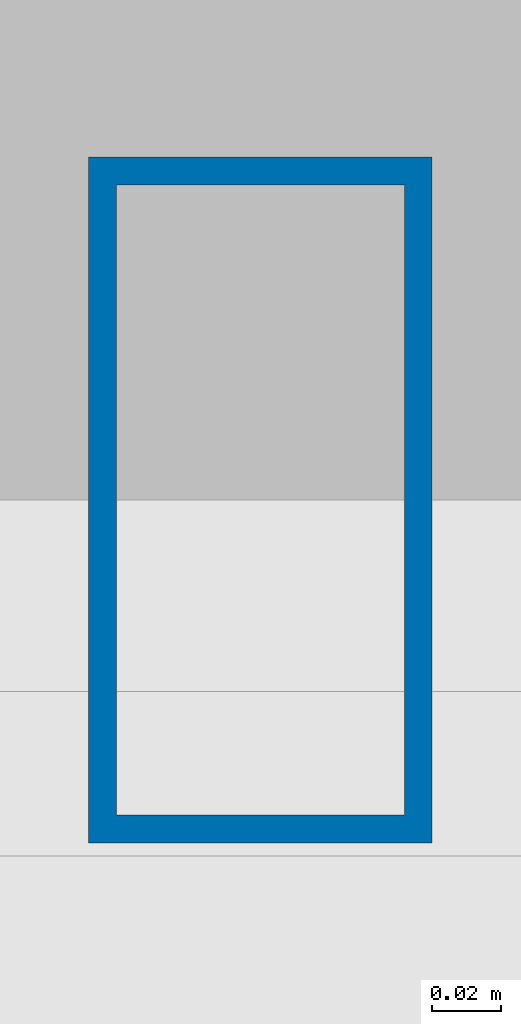
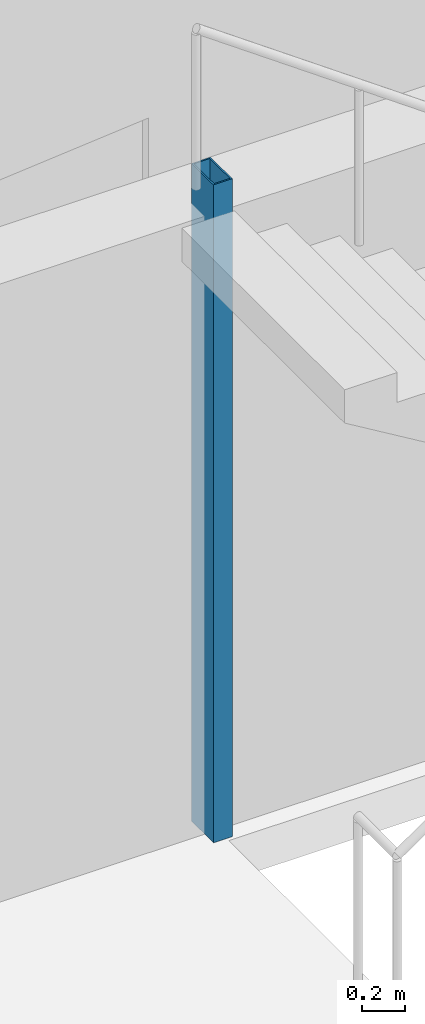
# One storey, part 2 of 18: 1 column.
"""IFC4 building model written with IfcOpenShell, lengths in metres."""

from ifc_helpers import new_model, si_unit, direction, frame, origin, origin_2d, place, context, subcontext, project, spatial, hollow_rectangle, extrude, material, material_profile, profile_set, type_object, element, save


model = new_model("IFC4")

# Units and contexts
model_context = context("Model", 3, precision=1e-05, world=origin(), true_north=direction((0.0, 1.0)))
body_context = subcontext(model_context, "Body", "Model", "MODEL_VIEW")
ifc_project = project(units=[si_unit("LENGTHUNIT", "METRE"), si_unit("AREAUNIT", "SQUARE_METRE"), si_unit("VOLUMEUNIT", "CUBIC_METRE"), si_unit("PLANEANGLEUNIT", "RADIAN"), si_unit("MASSUNIT", "GRAM", prefix="KILO")], contexts=[model_context])

# Site, building, storey
site_placement = place(None, origin())
site = spatial("IfcSite", under=ifc_project, at=site_placement, CompositionType="ELEMENT")
building_placement = place(site_placement, origin())
building = spatial("IfcBuilding", under=site, at=building_placement, Name="Menara Jurai Vektor", CompositionType="ELEMENT")
storey_placement = place(building_placement, frame((0.0, 0.0, 120.699951171875)))
storey = spatial("IfcBuildingStorey", under=building, at=storey_placement, Name="L30", CompositionType="ELEMENT", Elevation=120.699951171875)

# Column
ifc_material = material(Name="Steel S355", Category="steel")
ifc_material_profile = material_profile(ifc_material, hollow_rectangle(XDim=0.10009765625, YDim=0.199951171875, WallThickness=0.008056640625, at=origin_2d()), Name="RHS 200x100x8")
ifc_profile_set = profile_set([ifc_material_profile], Name="Steel S355")
column_type = type_object("IfcColumnType", Name="STR-COL-STAIR", PredefinedType="COLUMN", material=ifc_profile_set)
column_placement = place(storey_placement, frame((-11.1201171875, 5.419921875, 0.0), z_axis=(0.0, 0.0, 1.0), x_axis=(1.0, 0.0, 0.0)))
element("IfcColumn", 1, at=column_placement, inside=storey, type_object=column_type, Name="Stair Well Header Column ST1-P2 L30", PredefinedType="COLUMN", context=body_context, shape_type="SweptSolid", body=[
    extrude(hollow_rectangle(XDim=0.10009765625, YDim=0.199951171875, WallThickness=0.008056640625, at=origin_2d()), origin(), (0.0, 0.0, 1.0), 3.699951171875),
])

save(model, "model.ifc")
